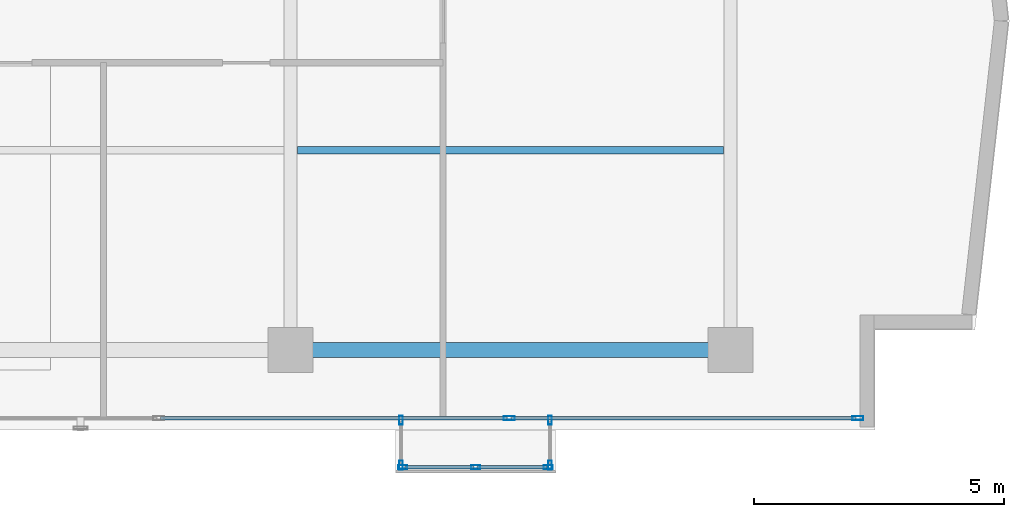
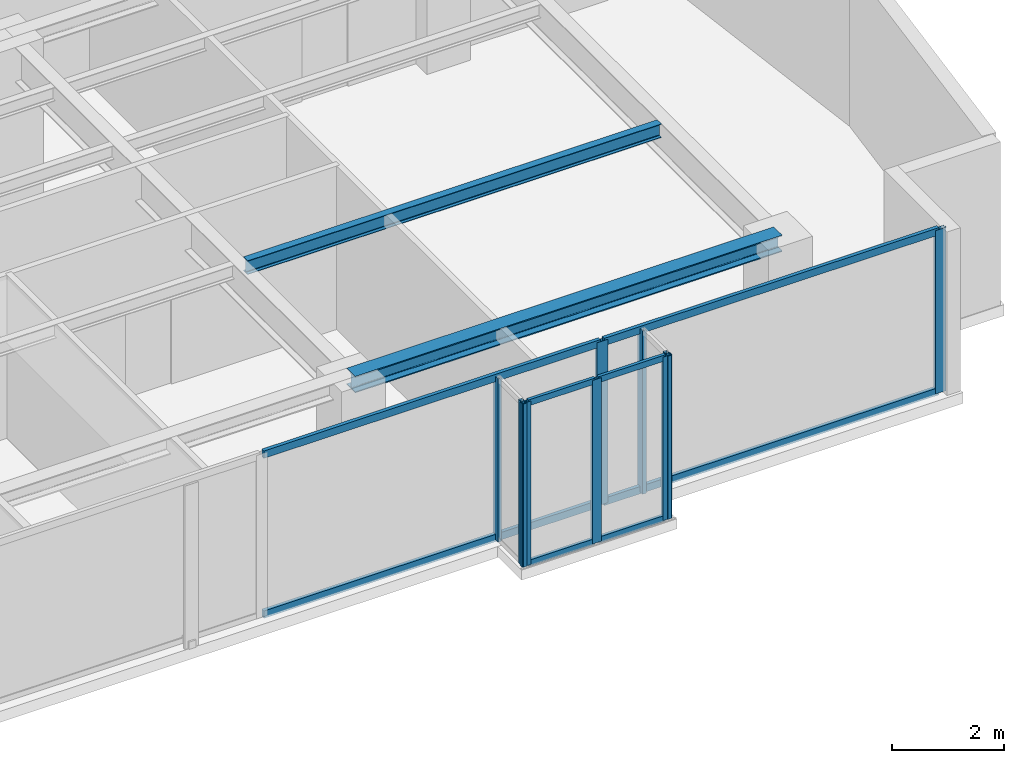
# One storey, part 10 of 22: 17 members, 2 beams, 4 elements without a shape of their own.
"""IFC4 building model written with IfcOpenShell, lengths in metres."""

from ifc_helpers import new_model, si_unit, direction, frame, origin, origin_with_axes, origin_2d, place, context, subcontext, project, spatial, hollow_rectangle, i_section, extrude, source, transform, mapped, material, layer, layer_set, material_profile, profile_set, type_object, element, aggregate, save


model = new_model("IFC4")

# Units and contexts
model_context = context("Model", 3, precision=1e-05, world=origin(), true_north=direction((0.0, 1.0)))
body_context = subcontext(model_context, "Body", "Model", "MODEL_VIEW")
ifc_project = project(units=[si_unit("LENGTHUNIT", "METRE"), si_unit("AREAUNIT", "SQUARE_METRE"), si_unit("VOLUMEUNIT", "CUBIC_METRE"), si_unit("PLANEANGLEUNIT", "RADIAN"), si_unit("MASSUNIT", "GRAM", prefix="KILO")], contexts=[model_context])

# Site, building, storey
site_placement = place(None, origin())
site = spatial("IfcSite", under=ifc_project, at=site_placement, CompositionType="ELEMENT")
building_placement = place(site_placement, origin())
building = spatial("IfcBuilding", under=site, at=building_placement, Name="Kolvaren Waterfront Exchange", CompositionType="ELEMENT")
storey_placement = place(building_placement, frame((0.0, 0.0, 274.199951171875)))
storey = spatial("IfcBuildingStorey", under=building, at=storey_placement, Name="L70", CompositionType="ELEMENT", Elevation=274.199951171875)

# Beams
ifc_material_1 = material(Name="Steel S355", Category="steel")
ifc_material_profile_1 = material_profile(ifc_material_1, i_section(OverallWidth=0.300048828125, OverallDepth=0.360107421875, WebThickness=0.012451171875, FlangeThickness=0.0224609375, FilletRadius=0.027099609375, at=origin_2d()), Name="HEB360")
ifc_profile_set_1 = profile_set([ifc_material_profile_1], Name="Steel S355")
beam_type_1 = type_object("IfcBeamType", Name="STR-BM-HEB360", PredefinedType="SPANDREL", material=ifc_profile_set_1)
beam_1_placement = place(storey_placement, frame((36.800048828125, 5.199951171875, 3.380126953125), z_axis=(1.0, 0.0, 0.0), x_axis=(0.0, 1.0, 0.0)))
element("IfcBeam", 1, at=beam_1_placement, inside=storey, type_object=beam_type_1, Name="L70 east-arm spandrel S3", PredefinedType="SPANDREL", context=body_context, shape_type="SweptSolid", body=[
    extrude(i_section(OverallWidth=0.300048828125, OverallDepth=0.360107421875, WebThickness=0.012451171875, FlangeThickness=0.0224609375, FilletRadius=0.027099609375, at=origin_2d()), origin(), (0.0, 0.0, 1.0), 8.800048828125),
])
ifc_material_profile_2 = material_profile(ifc_material_1, i_section(OverallWidth=0.14990234375, OverallDepth=0.300048828125, WebThickness=0.007080078125, FlangeThickness=0.0107421875, FilletRadius=0.014892578125, at=origin_2d()), Name="IPE300")
ifc_profile_set_2 = profile_set([ifc_material_profile_2], Name="Steel S355")
beam_type_2 = type_object("IfcBeamType", Name="STR-BM-IPE300", PredefinedType="JOIST", material=ifc_profile_set_2)
beam_2_placement = place(storey_placement, frame((36.935546875, 9.199951171875, 3.41015625), z_axis=(1.0, 0.0, 0.0), x_axis=(0.0, 1.0, 0.0)))
element("IfcBeam", 2, at=beam_2_placement, inside=storey, type_object=beam_type_2, Name="L70 east-arm composite joist 3B", PredefinedType="JOIST", context=body_context, shape_type="SweptSolid", body=[
    extrude(i_section(OverallWidth=0.14990234375, OverallDepth=0.300048828125, WebThickness=0.007080078125, FlangeThickness=0.0107421875, FilletRadius=0.014892578125, at=origin_2d()), origin(), (0.0, 0.0, 1.0), 8.529052734375),
])

# Curtain wall, members
ifc_material_2 = material(Name="Anodised bronze aluminium 6063-T6", Category="aluminium")
ifc_layer_1 = layer(ifc_material_2, 0.219970703125, Name="Anodised bronze aluminium 6063-T6")
ifc_layer_set_1 = layer_set([ifc_layer_1], Name="Anodised bronze aluminium 6063-T6")
curtain_wall_type_1 = type_object("IfcCurtainWallType", Name="ARC-CW-SYS3", PredefinedType="USERDEFINED", material=ifc_layer_set_1)
curtain_wall_1_placement = place(storey_placement, origin())
curtain_wall_1 = element("IfcCurtainWall", 3, at=curtain_wall_1_placement, inside=storey, type_object=curtain_wall_type_1, Name="L70 stick curtain wall CW3 (CW-L70-BOX)", ObjectType="STICK CURTAIN WALL", PredefinedType="USERDEFINED")
ifc_material_profile_3 = material_profile(ifc_material_2, hollow_rectangle(XDim=0.06494140625, YDim=0.1298828125, WallThickness=0.00390625, at=origin_2d()), Name="ALU-TRN-130x65x4")
ifc_profile_set_3 = profile_set([ifc_material_profile_3], Name="Anodised bronze aluminium 6063-T6")
member_type_1 = type_object("IfcMemberType", Name="ARC-CWT-130", PredefinedType="USERDEFINED", material=ifc_profile_set_3)
shared_shape_1 = source(origin_with_axes(), body_context, "Body", "SweptSolid", [
    extrude(hollow_rectangle(XDim=0.06494140625, YDim=0.1298828125, WallThickness=0.00390625, at=origin_2d()), origin(), (0.0, 0.0, 1.0), 1.37744140625),
])
member_1_placement = place(storey_placement, frame((39.0849609375, 2.860107421875, 0.032470703125), z_axis=(1.0, 0.0, 0.0), x_axis=(0.0, 1.0, 0.0)))
member_1 = element("IfcMember", 4, at=member_1_placement, type_object=member_type_1, Name="CW3 transom 1.1", ObjectType="TRANSOM", PredefinedType="USERDEFINED", context=body_context, shape_type="MappedRepresentation", body=[
    mapped(shared_shape_1, transform((0.0, 0.0, 0.0), x_axis=(1.0, 0.0, 0.0), y_axis=(0.0, 1.0, 0.0), z_axis=(0.0, 0.0, 1.0), scale=1.0)),
])
member_2_placement = place(storey_placement, frame((39.0849609375, 2.860107421875, 3.527587890625), z_axis=(1.0, 0.0, 0.0), x_axis=(0.0, 1.0, 0.0)))
member_2 = element("IfcMember", 5, at=member_2_placement, type_object=member_type_1, Name="CW3 transom 1.2", ObjectType="TRANSOM", PredefinedType="USERDEFINED", context=body_context, shape_type="MappedRepresentation", body=[
    mapped(shared_shape_1, transform((0.0, 0.0, 0.0), x_axis=(1.0, 0.0, 0.0), y_axis=(0.0, 1.0, 0.0), z_axis=(0.0, 0.0, 1.0), scale=1.0)),
])
member_3_placement = place(storey_placement, frame((40.53759765625, 2.860107421875, 0.032470703125), z_axis=(1.0, 0.0, 0.0), x_axis=(0.0, 1.0, 0.0)))
member_3 = element("IfcMember", 6, at=member_3_placement, type_object=member_type_1, Name="CW3 transom 2.1", ObjectType="TRANSOM", PredefinedType="USERDEFINED", context=body_context, shape_type="MappedRepresentation", body=[
    mapped(shared_shape_1, transform((0.0, 0.0, 0.0), x_axis=(1.0, 0.0, 0.0), y_axis=(0.0, 1.0, 0.0), z_axis=(0.0, 0.0, 1.0), scale=1.0)),
])
member_4_placement = place(storey_placement, frame((40.53759765625, 2.860107421875, 3.527587890625), z_axis=(1.0, 0.0, 0.0), x_axis=(0.0, 1.0, 0.0)))
member_4 = element("IfcMember", 7, at=member_4_placement, type_object=member_type_1, Name="CW3 transom 2.2", ObjectType="TRANSOM", PredefinedType="USERDEFINED", context=body_context, shape_type="MappedRepresentation", body=[
    mapped(shared_shape_1, transform((0.0, 0.0, 0.0), x_axis=(1.0, 0.0, 0.0), y_axis=(0.0, 1.0, 0.0), z_axis=(0.0, 0.0, 1.0), scale=1.0)),
])

curtain_wall_2_placement = place(storey_placement, origin())
curtain_wall_2 = element("IfcCurtainWall", 8, at=curtain_wall_2_placement, inside=storey, type_object=curtain_wall_type_1, Name="L70 stick curtain wall CW3 (CW-L70-BOX-W)", ObjectType="STICK CURTAIN WALL", PredefinedType="USERDEFINED")
ifc_material_profile_4 = material_profile(ifc_material_2, hollow_rectangle(XDim=0.074951171875, YDim=0.179931640625, WallThickness=0.00439453125, at=origin_2d()), Name="ALU-MUL-180x75x4.5")
ifc_profile_set_4 = profile_set([ifc_material_profile_4], Name="Anodised bronze aluminium 6063-T6")
member_type_2 = type_object("IfcMemberType", Name="ARC-CWM-180", PredefinedType="MULLION", material=ifc_profile_set_4)
shared_shape_2 = source(origin_with_axes(), body_context, "Body", "SweptSolid", [
    extrude(hollow_rectangle(XDim=0.074951171875, YDim=0.179931640625, WallThickness=0.00439453125, at=origin_2d()), origin(), (0.0, 0.0, 1.0), 3.56005859375),
])
member_5_placement = place(storey_placement, frame((39.010009765625, 3.802490234375, 0.0), z_axis=(0.0, 0.0, 1.0), x_axis=(1.0, 0.0, 0.0)))
member_5 = element("IfcMember", 9, at=member_5_placement, type_object=member_type_2, Name="CW3 mullion 1", PredefinedType="MULLION", context=body_context, shape_type="MappedRepresentation", body=[
    mapped(shared_shape_2, transform((0.0, 0.0, 0.0), x_axis=(1.0, 0.0, 0.0), y_axis=(0.0, 1.0, 0.0), z_axis=(0.0, 0.0, 1.0), scale=1.0)),
])
member_6_placement = place(storey_placement, frame((39.010009765625, 2.8974609375, 0.0), z_axis=(0.0, 0.0, 1.0), x_axis=(1.0, 0.0, 0.0)))
member_6 = element("IfcMember", 10, at=member_6_placement, type_object=member_type_2, Name="CW3 mullion 2", PredefinedType="MULLION", context=body_context, shape_type="MappedRepresentation", body=[
    mapped(shared_shape_2, transform((0.0, 0.0, 0.0), x_axis=(1.0, 0.0, 0.0), y_axis=(0.0, 1.0, 0.0), z_axis=(0.0, 0.0, 1.0), scale=1.0)),
])
aggregate(curtain_wall_2, [member_5, member_6])

# Member
member_7_placement = place(storey_placement, frame((39.047607421875, 2.860107421875, 0.0), z_axis=(0.0, 0.0, 1.0), x_axis=(0.0, 1.0, 0.0)))
member_7 = element("IfcMember", 11, at=member_7_placement, type_object=member_type_2, Name="CW3 mullion 1", PredefinedType="MULLION", context=body_context, shape_type="MappedRepresentation", body=[
    mapped(shared_shape_2, transform((0.0, 0.0, 0.0), x_axis=(1.0, 0.0, 0.0), y_axis=(0.0, 1.0, 0.0), z_axis=(0.0, 0.0, 1.0), scale=1.0)),
])

member_8_placement = place(storey_placement, frame((40.5, 2.860107421875, 0.0), z_axis=(0.0, 0.0, 1.0), x_axis=(0.0, 1.0, 0.0)))
member_8 = element("IfcMember", 12, at=member_8_placement, type_object=member_type_2, Name="CW3 mullion 2", PredefinedType="MULLION", context=body_context, shape_type="MappedRepresentation", body=[
    mapped(shared_shape_2, transform((0.0, 0.0, 0.0), x_axis=(1.0, 0.0, 0.0), y_axis=(0.0, 1.0, 0.0), z_axis=(0.0, 0.0, 1.0), scale=1.0)),
])

member_9_placement = place(storey_placement, frame((41.952392578125, 2.860107421875, 0.0), z_axis=(0.0, 0.0, 1.0), x_axis=(0.0, 1.0, 0.0)))
member_9 = element("IfcMember", 13, at=member_9_placement, type_object=member_type_2, Name="CW3 mullion 3", PredefinedType="MULLION", context=body_context, shape_type="MappedRepresentation", body=[
    mapped(shared_shape_2, transform((0.0, 0.0, 0.0), x_axis=(1.0, 0.0, 0.0), y_axis=(0.0, 1.0, 0.0), z_axis=(0.0, 0.0, 1.0), scale=1.0)),
])

aggregate(curtain_wall_1, [member_7, member_8, member_9, member_1, member_2, member_3, member_4])

# Curtain wall, members
curtain_wall_3_placement = place(storey_placement, origin())
curtain_wall_3 = element("IfcCurtainWall", 14, at=curtain_wall_3_placement, inside=storey, type_object=curtain_wall_type_1, Name="L70 stick curtain wall CW3 (CW-L70-BOX-E)", ObjectType="STICK CURTAIN WALL", PredefinedType="USERDEFINED")
member_10_placement = place(storey_placement, frame((41.989990234375, 2.8974609375, 0.0), z_axis=(0.0, 0.0, 1.0), x_axis=(-1.0, 0.0, 0.0)))
member_10 = element("IfcMember", 15, at=member_10_placement, type_object=member_type_2, Name="CW3 mullion 1", PredefinedType="MULLION", context=body_context, shape_type="MappedRepresentation", body=[
    mapped(shared_shape_2, transform((0.0, 0.0, 0.0), x_axis=(1.0, 0.0, 0.0), y_axis=(0.0, 1.0, 0.0), z_axis=(0.0, 0.0, 1.0), scale=1.0)),
])
member_11_placement = place(storey_placement, frame((41.989990234375, 3.802490234375, 0.0), z_axis=(0.0, 0.0, 1.0), x_axis=(-1.0, 0.0, 0.0)))
member_11 = element("IfcMember", 16, at=member_11_placement, type_object=member_type_2, Name="CW3 mullion 2", PredefinedType="MULLION", context=body_context, shape_type="MappedRepresentation", body=[
    mapped(shared_shape_2, transform((0.0, 0.0, 0.0), x_axis=(1.0, 0.0, 0.0), y_axis=(0.0, 1.0, 0.0), z_axis=(0.0, 0.0, 1.0), scale=1.0)),
])
aggregate(curtain_wall_3, [member_10, member_11])

ifc_layer_2 = layer(ifc_material_2, 0.219970703125, Name="Anodised bronze aluminium 6063-T6")
ifc_layer_set_2 = layer_set([ifc_layer_2], Name="Anodised bronze aluminium 6063-T6")
curtain_wall_type_2 = type_object("IfcCurtainWallType", Name="ARC-CW-SYS1", PredefinedType="USERDEFINED", material=ifc_layer_set_2)
curtain_wall_4_placement = place(storey_placement, origin())
curtain_wall_4 = element("IfcCurtainWall", 17, at=curtain_wall_4_placement, inside=storey, type_object=curtain_wall_type_2, Name="L70 stick curtain wall CW1 (CW-L70-S)", ObjectType="STICK CURTAIN WALL", PredefinedType="USERDEFINED")
ifc_material_3 = material(Name="Anodised aluminium 6063-T6", Category="aluminium")
ifc_material_profile_5 = material_profile(ifc_material_3, hollow_rectangle(XDim=0.080078125, YDim=0.219970703125, WallThickness=0.0048828125, at=origin_2d()), Name="ALU-MUL-220x80x5")
ifc_profile_set_5 = profile_set([ifc_material_profile_5], Name="Anodised aluminium 6063-T6")
member_type_3 = type_object("IfcMemberType", Name="ARC-CWM-220", PredefinedType="MULLION", material=ifc_profile_set_5)
shared_shape_3 = source(origin_with_axes(), body_context, "Body", "SweptSolid", [
    extrude(hollow_rectangle(XDim=0.080078125, YDim=0.219970703125, WallThickness=0.0048828125, at=origin_2d()), origin(), (0.0, 0.0, 1.0), 3.56005859375),
])
member_12_placement = place(storey_placement, frame((41.174560546875, 3.840087890625, 0.0), z_axis=(0.0, 0.0, 1.0), x_axis=(0.0, 1.0, 0.0)))
member_12 = element("IfcMember", 18, at=member_12_placement, type_object=member_type_3, Name="CW1 mullion 6", PredefinedType="MULLION", context=body_context, shape_type="MappedRepresentation", body=[
    mapped(shared_shape_3, transform((0.0, 0.0, 0.0), x_axis=(1.0, 0.0, 0.0), y_axis=(0.0, 1.0, 0.0), z_axis=(0.0, 0.0, 1.0), scale=1.0)),
])
member_13_placement = place(storey_placement, frame((48.1494140625, 3.840087890625, 0.0), z_axis=(0.0, 0.0, 1.0), x_axis=(0.0, 1.0, 0.0)))
member_13 = element("IfcMember", 19, at=member_13_placement, type_object=member_type_3, Name="CW1 mullion 7", PredefinedType="MULLION", context=body_context, shape_type="MappedRepresentation", body=[
    mapped(shared_shape_3, transform((0.0, 0.0, 0.0), x_axis=(1.0, 0.0, 0.0), y_axis=(0.0, 1.0, 0.0), z_axis=(0.0, 0.0, 1.0), scale=1.0)),
])
ifc_material_profile_6 = material_profile(ifc_material_3, hollow_rectangle(XDim=0.074951171875, YDim=0.159912109375, WallThickness=0.00439453125, at=origin_2d()), Name="ALU-TRN-160x75x4.5")
ifc_profile_set_6 = profile_set([ifc_material_profile_6], Name="Anodised aluminium 6063-T6")
member_type_4 = type_object("IfcMemberType", Name="ARC-CWT-160", PredefinedType="USERDEFINED", material=ifc_profile_set_6)
shared_shape_4 = source(origin_with_axes(), body_context, "Body", "SweptSolid", [
    extrude(hollow_rectangle(XDim=0.074951171875, YDim=0.159912109375, WallThickness=0.00439453125, at=origin_2d()), origin(), (0.0, 0.0, 1.0), 6.89501953125),
])
member_14_placement = place(storey_placement, frame((41.214599609375, 3.840087890625, 0.03759765625), z_axis=(1.0, 0.0, 0.0), x_axis=(0.0, 1.0, 0.0)))
member_14 = element("IfcMember", 20, at=member_14_placement, type_object=member_type_4, Name="CW1 transom 6.1", ObjectType="TRANSOM", PredefinedType="USERDEFINED", context=body_context, shape_type="MappedRepresentation", body=[
    mapped(shared_shape_4, transform((0.0, 0.0, 0.0), x_axis=(1.0, 0.0, 0.0), y_axis=(0.0, 1.0, 0.0), z_axis=(0.0, 0.0, 1.0), scale=1.0)),
])
member_15_placement = place(storey_placement, frame((41.214599609375, 3.840087890625, 3.5224609375), z_axis=(1.0, 0.0, 0.0), x_axis=(0.0, 1.0, 0.0)))
member_15 = element("IfcMember", 21, at=member_15_placement, type_object=member_type_4, Name="CW1 transom 6.2", ObjectType="TRANSOM", PredefinedType="USERDEFINED", context=body_context, shape_type="MappedRepresentation", body=[
    mapped(shared_shape_4, transform((0.0, 0.0, 0.0), x_axis=(1.0, 0.0, 0.0), y_axis=(0.0, 1.0, 0.0), z_axis=(0.0, 0.0, 1.0), scale=1.0)),
])
shared_shape_5 = source(origin_with_axes(), body_context, "Body", "SweptSolid", [
    extrude(hollow_rectangle(XDim=0.074951171875, YDim=0.159912109375, WallThickness=0.00439453125, at=origin_2d()), origin(), (0.0, 0.0, 1.0), 6.934814453125),
])
member_16_placement = place(storey_placement, frame((34.19970703125, 3.840087890625, 0.03759765625), z_axis=(1.0, 0.0, 0.0), x_axis=(0.0, 1.0, 0.0)))
member_16 = element("IfcMember", 22, at=member_16_placement, type_object=member_type_4, Name="CW1 transom 5.1", ObjectType="TRANSOM", PredefinedType="USERDEFINED", context=body_context, shape_type="MappedRepresentation", body=[
    mapped(shared_shape_5, transform((0.0, 0.0, 0.0), x_axis=(1.0, 0.0, 0.0), y_axis=(0.0, 1.0, 0.0), z_axis=(0.0, 0.0, 1.0), scale=1.0)),
])
member_17_placement = place(storey_placement, frame((34.19970703125, 3.840087890625, 3.5224609375), z_axis=(1.0, 0.0, 0.0), x_axis=(0.0, 1.0, 0.0)))
member_17 = element("IfcMember", 23, at=member_17_placement, type_object=member_type_4, Name="CW1 transom 5.2", ObjectType="TRANSOM", PredefinedType="USERDEFINED", context=body_context, shape_type="MappedRepresentation", body=[
    mapped(shared_shape_5, transform((0.0, 0.0, 0.0), x_axis=(1.0, 0.0, 0.0), y_axis=(0.0, 1.0, 0.0), z_axis=(0.0, 0.0, 1.0), scale=1.0)),
])
aggregate(curtain_wall_4, [member_12, member_13, member_16, member_17, member_14, member_15])

save(model, "model.ifc")
